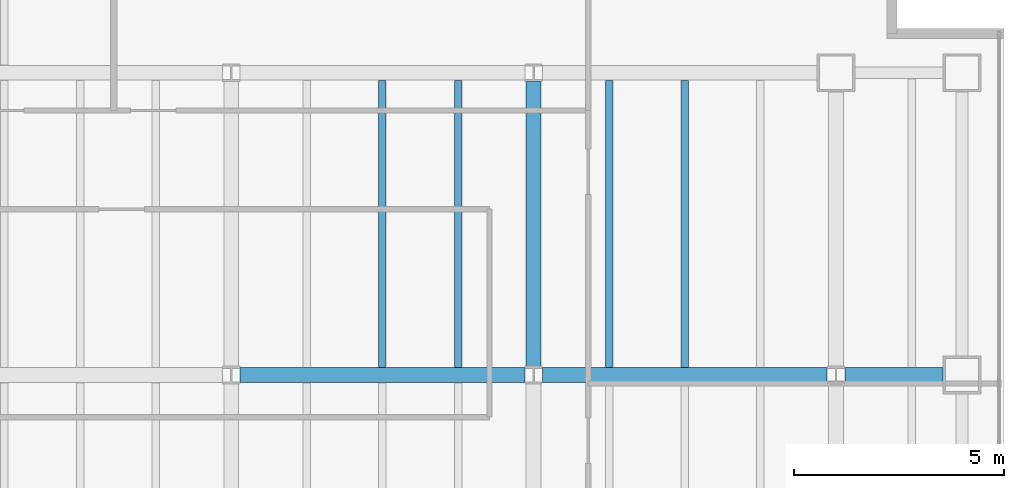
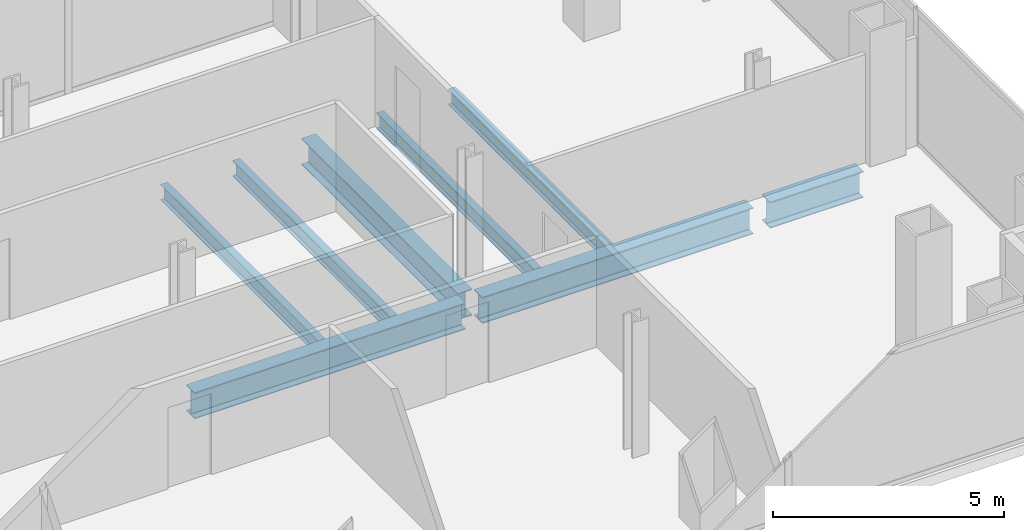
# One storey, part 12 of 23: 8 beams.
"""IFC4 building model written with IfcOpenShell, lengths in metres."""

from ifc_helpers import new_model, si_unit, direction, frame, origin, origin_2d, place, context, subcontext, project, spatial, i_section, extrude, material, material_profile, profile_set, type_object, element, save


model = new_model("IFC4")

# Units and contexts
model_context = context("Model", 3, precision=1e-05, world=origin(), true_north=direction((0.0, 1.0)))
body_context = subcontext(model_context, "Body", "Model", "MODEL_VIEW")
ifc_project = project(units=[si_unit("LENGTHUNIT", "METRE"), si_unit("AREAUNIT", "SQUARE_METRE"), si_unit("VOLUMEUNIT", "CUBIC_METRE"), si_unit("PLANEANGLEUNIT", "RADIAN"), si_unit("MASSUNIT", "GRAM", prefix="KILO")], contexts=[model_context])

# Site, building, storey
site_placement = place(None, origin())
site = spatial("IfcSite", under=ifc_project, at=site_placement, CompositionType="ELEMENT")
building_placement = place(site_placement, origin())
building = spatial("IfcBuilding", under=site, at=building_placement, Name="Cobrela Telecom Tower", CompositionType="ELEMENT")
storey_placement = place(building_placement, frame((0.0, 0.0, 133.0)))
storey = spatial("IfcBuildingStorey", under=building, at=storey_placement, Name="L33", CompositionType="ELEMENT", Elevation=133.0)

# Beams
ifc_material = material(Name="Steel ASTM A992 Grade 50", Category="steel")
ifc_material_profile_1 = material_profile(ifc_material, i_section(OverallWidth=0.35595703125, OverallDepth=0.696044921875, WebThickness=0.015380859375, FlangeThickness=0.024658203125, FilletRadius=0.01806640625, at=origin_2d()), Name="W27X146")
ifc_profile_set_1 = profile_set([ifc_material_profile_1], Name="Steel ASTM A992 Grade 50")
beam_type_1 = type_object("IfcBeamType", Name="BM-GIRD-05", PredefinedType="USERDEFINED", material=ifc_profile_set_1)
for number, where, z_axis, x_axis, name in (
    (1, (29.009521484375, 14.39990234375, -0.617919921875), (1.0, 0.0, 0.0), (0.0, 1.0, 0.0), "L33 Primary Girder X15"),
    (2, (36.20947265625, 14.39990234375, -0.617919921875), (1.0, 0.0, 0.0), (0.0, 1.0, 0.0), "L33 Primary Girder X16"),
):
    element("IfcBeam", number, at=place(storey_placement, frame(where, z_axis=z_axis, x_axis=x_axis)), inside=storey, type_object=beam_type_1, Name=name, ObjectType="GIRDER", PredefinedType="USERDEFINED", context=body_context, shape_type="SweptSolid", body=[
        extrude(i_section(OverallWidth=0.35595703125, OverallDepth=0.696044921875, WebThickness=0.015380859375, FlangeThickness=0.024658203125, FilletRadius=0.01806640625, at=origin_2d()), origin(), (0.0, 0.0, 1.0), 6.781005859375),
    ])
beam_1_placement = place(storey_placement, frame((43.409423828125, 14.39990234375, -0.617919921875), z_axis=(1.0, 0.0, 0.0), x_axis=(0.0, 1.0, 0.0)))
element("IfcBeam", 3, at=beam_1_placement, inside=storey, type_object=beam_type_1, Name="L33 Primary Girder X17", ObjectType="GIRDER", PredefinedType="USERDEFINED", context=body_context, shape_type="SweptSolid", body=[
    extrude(i_section(OverallWidth=0.35595703125, OverallDepth=0.696044921875, WebThickness=0.015380859375, FlangeThickness=0.024658203125, FilletRadius=0.01806640625, at=origin_2d()), origin(), (0.0, 0.0, 1.0), 2.335693359375),
])
beam_2_placement = place(storey_placement, frame((36.0, 14.609619140625, -0.617919921875), z_axis=(0.0, 1.0, 0.0), x_axis=(-1.0, 0.0, 0.0)))
element("IfcBeam", 4, at=beam_2_placement, inside=storey, type_object=beam_type_1, Name="L33 Primary Girder Y51", ObjectType="GIRDER", PredefinedType="USERDEFINED", context=body_context, shape_type="SweptSolid", body=[
    extrude(i_section(OverallWidth=0.35595703125, OverallDepth=0.696044921875, WebThickness=0.015380859375, FlangeThickness=0.024658203125, FilletRadius=0.01806640625, at=origin_2d()), origin(), (0.0, 0.0, 1.0), 6.78076171875),
])
ifc_material_profile_2 = material_profile(ifc_material, i_section(OverallWidth=0.179931640625, OverallDepth=0.4169921875, WebThickness=0.010986328125, FlangeThickness=0.01806640625, FilletRadius=0.011962890625, at=origin_2d()), Name="W16X57")
ifc_profile_set_2 = profile_set([ifc_material_profile_2], Name="Steel ASTM A992 Grade 50")
beam_type_2 = type_object("IfcBeamType", Name="BM-JOIST-04", PredefinedType="JOIST", material=ifc_profile_set_2)
for number, where, z_axis, x_axis, name in (
    (5, (32.39990234375, 14.5830078125, -0.478515625), (0.0, 1.0, 0.0), (-1.0, 0.0, 0.0), "L33 Secondary Composite Floor Beam J30"),
    (6, (34.199951171875, 14.5830078125, -0.478515625), (0.0, 1.0, 0.0), (-1.0, 0.0, 0.0), "L33 Secondary Composite Floor Beam J32"),
    (7, (37.800048828125, 14.5830078125, -0.478515625), (0.0, 1.0, 0.0), (-1.0, 0.0, 0.0), "L33 Secondary Composite Floor Beam J34"),
    (8, (39.60009765625, 14.5830078125, -0.478515625), (0.0, 1.0, 0.0), (-1.0, 0.0, 0.0), "L33 Secondary Composite Floor Beam J36"),
):
    element("IfcBeam", number, at=place(storey_placement, frame(where, z_axis=z_axis, x_axis=x_axis)), inside=storey, type_object=beam_type_2, Name=name, PredefinedType="JOIST", context=body_context, shape_type="SweptSolid", body=[
        extrude(i_section(OverallWidth=0.179931640625, OverallDepth=0.4169921875, WebThickness=0.010986328125, FlangeThickness=0.01806640625, FilletRadius=0.011962890625, at=origin_2d()), origin(), (0.0, 0.0, 1.0), 6.833984375),
    ])

save(model, "model.ifc")
